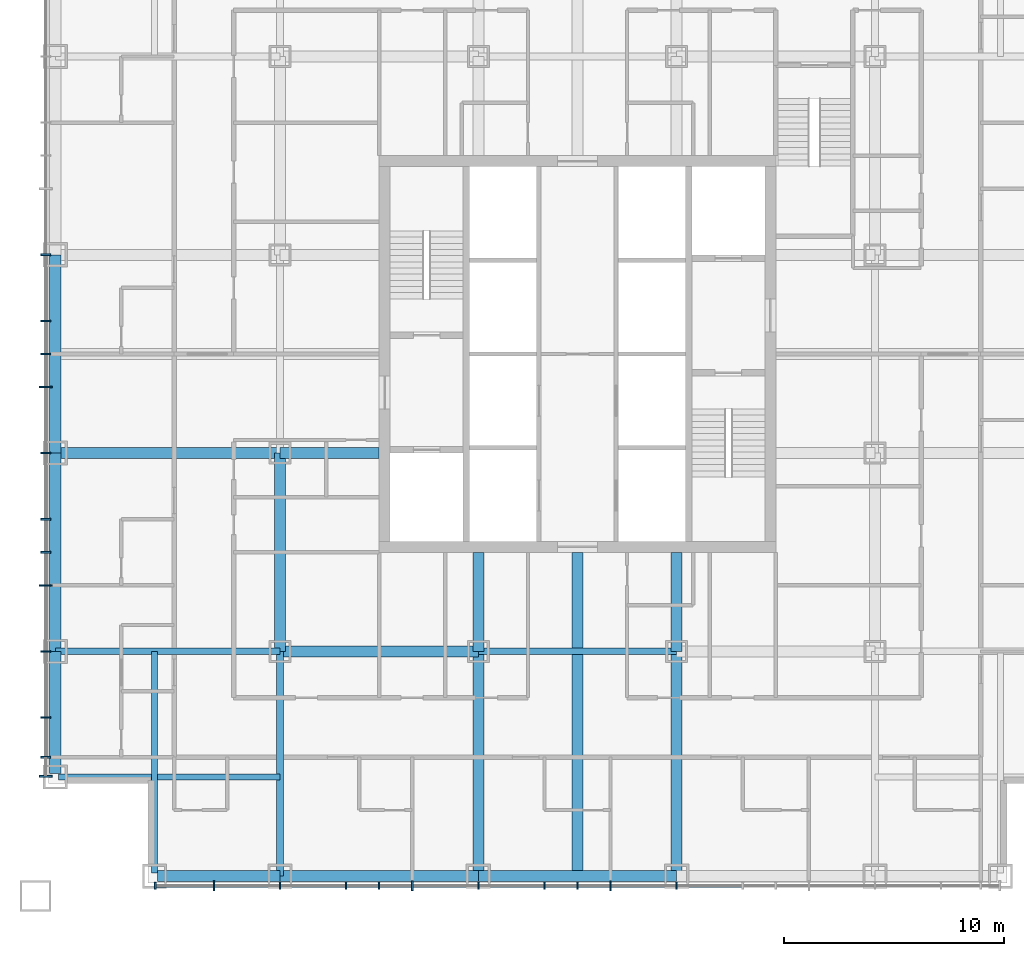
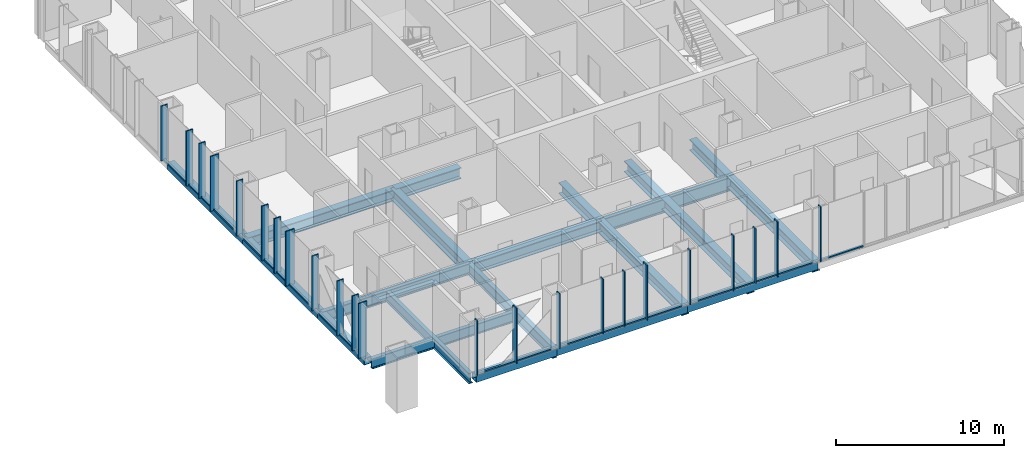
# One storey, part 2 of 13: 44 members, 20 beams, 2 elements without a shape of their own.
"""IFC4 building model written with IfcOpenShell, lengths in metres."""

from ifc_helpers import new_model, si_unit, direction, frame, origin, origin_2d, place, context, subcontext, project, spatial, rectangle, hollow_rectangle, i_section, extrude, material, layer, layer_set, material_profile, profile_set, type_object, element, aggregate, save


model = new_model("IFC4")

# Units and contexts
model_context = context("Model", 3, precision=1e-05, world=origin(), true_north=direction((0.0, 1.0)))
body_context = subcontext(model_context, "Body", "Model", "MODEL_VIEW")
ifc_project = project(units=[si_unit("LENGTHUNIT", "METRE"), si_unit("AREAUNIT", "SQUARE_METRE"), si_unit("VOLUMEUNIT", "CUBIC_METRE"), si_unit("PLANEANGLEUNIT", "RADIAN"), si_unit("MASSUNIT", "GRAM", prefix="KILO")], contexts=[model_context])

# Site, building, storey
site_placement = place(None, origin())
site = spatial("IfcSite", under=ifc_project, at=site_placement, CompositionType="ELEMENT")
building_placement = place(site_placement, origin())
building = spatial("IfcBuilding", under=site, at=building_placement, Name="Malebo Sky Hospital", CompositionType="ELEMENT")
storey_placement = place(building_placement, frame((0.0, 0.0, 104.0)))
storey = spatial("IfcBuildingStorey", under=building, at=storey_placement, Name="L24", CompositionType="ELEMENT", Elevation=104.0)

# Curtain wall, members
ifc_material_1 = material(Name="Anodised aluminium, natural silver", Category="aluminium")
ifc_layer_1 = layer(ifc_material_1, 0.25)
ifc_layer_set_1 = layer_set([ifc_layer_1], Name="WARD CURTAIN WALL EAST AND WEST")
curtain_wall_type_1 = type_object("IfcCurtainWallType", Name="WARD CURTAIN WALL EAST AND WEST", PredefinedType="NOTDEFINED", material=ifc_layer_set_1)
curtain_wall_1_placement = place(storey_placement, origin())
curtain_wall_1 = element("IfcCurtainWall", 1, at=curtain_wall_1_placement, inside=storey, type_object=curtain_wall_type_1, Name="EW curtain wall W", PredefinedType="NOTDEFINED")
ifc_material_profile_1 = material_profile(ifc_material_1, rectangle(XDim=0.14990234375, YDim=0.10009765625, at=origin_2d()), Name="ALUMINIUM TRANSOM 150x100")
ifc_profile_set_1 = profile_set([ifc_material_profile_1], Name="Anodised aluminium, natural silver")
member_type_1 = type_object("IfcMemberType", Name="ALUMINIUM TRANSOM 150x100", PredefinedType="USERDEFINED", material=ifc_profile_set_1)
member_1_placement = place(storey_placement, frame((35.864990234375, 43.737548828125, 0.050048828125), z_axis=(0.0, 1.0, 0.0), x_axis=(-1.0, 0.0, 0.0)))
member_1 = element("IfcMember", 2, at=member_1_placement, type_object=member_type_1, Name="Transom 2", ObjectType="TRANSOM", PredefinedType="USERDEFINED", context=body_context, shape_type="SweptSolid", body=[
    extrude(rectangle(XDim=0.14990234375, YDim=0.10009765625, at=origin_2d()), origin(), (0.0, 0.0, 1.0), 1.724853515625),
])
member_2_placement = place(storey_placement, frame((35.864990234375, 45.53759765625, 0.050048828125), z_axis=(0.0, 1.0, 0.0), x_axis=(-1.0, 0.0, 0.0)))
member_2 = element("IfcMember", 3, at=member_2_placement, type_object=member_type_1, Name="Transom 3", ObjectType="TRANSOM", PredefinedType="USERDEFINED", context=body_context, shape_type="SweptSolid", body=[
    extrude(rectangle(XDim=0.14990234375, YDim=0.10009765625, at=origin_2d()), origin(), (0.0, 0.0, 1.0), 2.9248046875),
])
member_3_placement = place(storey_placement, frame((35.864990234375, 48.53759765625, 0.050048828125), z_axis=(0.0, 1.0, 0.0), x_axis=(-1.0, 0.0, 0.0)))
member_3 = element("IfcMember", 4, at=member_3_placement, type_object=member_type_1, Name="Transom 4", ObjectType="TRANSOM", PredefinedType="USERDEFINED", context=body_context, shape_type="SweptSolid", body=[
    extrude(rectangle(XDim=0.14990234375, YDim=0.10009765625, at=origin_2d()), origin(), (0.0, 0.0, 1.0), 2.9248046875),
])
member_4_placement = place(storey_placement, frame((35.864990234375, 51.53759765625, 0.050048828125), z_axis=(0.0, 1.0, 0.0), x_axis=(-1.0, 0.0, 0.0)))
member_4 = element("IfcMember", 5, at=member_4_placement, type_object=member_type_1, Name="Transom 5", ObjectType="TRANSOM", PredefinedType="USERDEFINED", context=body_context, shape_type="SweptSolid", body=[
    extrude(rectangle(XDim=0.14990234375, YDim=0.10009765625, at=origin_2d()), origin(), (0.0, 0.0, 1.0), 1.4248046875),
])
member_5_placement = place(storey_placement, frame((35.864990234375, 53.03759765625, 0.050048828125), z_axis=(0.0, 1.0, 0.0), x_axis=(-1.0, 0.0, 0.0)))
member_5 = element("IfcMember", 6, at=member_5_placement, type_object=member_type_1, Name="Transom 6", ObjectType="TRANSOM", PredefinedType="USERDEFINED", context=body_context, shape_type="SweptSolid", body=[
    extrude(rectangle(XDim=0.14990234375, YDim=0.10009765625, at=origin_2d()), origin(), (0.0, 0.0, 1.0), 1.4248046875),
])
member_6_placement = place(storey_placement, frame((35.864990234375, 54.53759765625, 0.050048828125), z_axis=(0.0, 1.0, 0.0), x_axis=(-1.0, 0.0, 0.0)))
member_6 = element("IfcMember", 7, at=member_6_placement, type_object=member_type_1, Name="Transom 7", ObjectType="TRANSOM", PredefinedType="USERDEFINED", context=body_context, shape_type="SweptSolid", body=[
    extrude(rectangle(XDim=0.14990234375, YDim=0.10009765625, at=origin_2d()), origin(), (0.0, 0.0, 1.0), 2.9248046875),
])
member_7_placement = place(storey_placement, frame((35.864990234375, 57.53759765625, 0.050048828125), z_axis=(0.0, 1.0, 0.0), x_axis=(-1.0, 0.0, 0.0)))
member_7 = element("IfcMember", 8, at=member_7_placement, type_object=member_type_1, Name="Transom 8", ObjectType="TRANSOM", PredefinedType="USERDEFINED", context=body_context, shape_type="SweptSolid", body=[
    extrude(rectangle(XDim=0.14990234375, YDim=0.10009765625, at=origin_2d()), origin(), (0.0, 0.0, 1.0), 2.9248046875),
])
member_8_placement = place(storey_placement, frame((35.864990234375, 60.53759765625, 0.050048828125), z_axis=(0.0, 1.0, 0.0), x_axis=(-1.0, 0.0, 0.0)))
member_8 = element("IfcMember", 9, at=member_8_placement, type_object=member_type_1, Name="Transom 9", ObjectType="TRANSOM", PredefinedType="USERDEFINED", context=body_context, shape_type="SweptSolid", body=[
    extrude(rectangle(XDim=0.14990234375, YDim=0.10009765625, at=origin_2d()), origin(), (0.0, 0.0, 1.0), 1.4248046875),
])
member_9_placement = place(storey_placement, frame((35.864990234375, 62.03759765625, 0.050048828125), z_axis=(0.0, 1.0, 0.0), x_axis=(-1.0, 0.0, 0.0)))
member_9 = element("IfcMember", 10, at=member_9_placement, type_object=member_type_1, Name="Transom 10", ObjectType="TRANSOM", PredefinedType="USERDEFINED", context=body_context, shape_type="SweptSolid", body=[
    extrude(rectangle(XDim=0.14990234375, YDim=0.10009765625, at=origin_2d()), origin(), (0.0, 0.0, 1.0), 1.4248046875),
])
member_10_placement = place(storey_placement, frame((35.864990234375, 63.53759765625, 0.050048828125), z_axis=(0.0, 1.0, 0.0), x_axis=(-1.0, 0.0, 0.0)))
member_10 = element("IfcMember", 11, at=member_10_placement, type_object=member_type_1, Name="Transom 11", ObjectType="TRANSOM", PredefinedType="USERDEFINED", context=body_context, shape_type="SweptSolid", body=[
    extrude(rectangle(XDim=0.14990234375, YDim=0.10009765625, at=origin_2d()), origin(), (0.0, 0.0, 1.0), 2.9248046875),
])

ifc_layer_2 = layer(ifc_material_1, 0.25)
ifc_layer_set_2 = layer_set([ifc_layer_2], Name="WARD CURTAIN WALL NORTH AND SOUTH")
curtain_wall_type_2 = type_object("IfcCurtainWallType", Name="WARD CURTAIN WALL NORTH AND SOUTH", PredefinedType="NOTDEFINED", material=ifc_layer_set_2)
curtain_wall_2_placement = place(storey_placement, origin())
curtain_wall_2 = element("IfcCurtainWall", 12, at=curtain_wall_2_placement, inside=storey, type_object=curtain_wall_type_2, Name="NS curtain wall S", PredefinedType="NOTDEFINED")
member_11_placement = place(storey_placement, frame((67.46240234375, 37.864990234375, 0.050048828125), z_axis=(-1.0, 0.0, 0.0), x_axis=(0.0, -1.0, 0.0)))
member_11 = element("IfcMember", 13, at=member_11_placement, type_object=member_type_1, Name="Transom 7", ObjectType="TRANSOM", PredefinedType="USERDEFINED", context=body_context, shape_type="SweptSolid", body=[
    extrude(rectangle(XDim=0.14990234375, YDim=0.10009765625, at=origin_2d()), origin(), (0.0, 0.0, 1.0), 2.9248046875),
])
member_12_placement = place(storey_placement, frame((64.46240234375, 37.864990234375, 0.050048828125), z_axis=(-1.0, 0.0, 0.0), x_axis=(0.0, -1.0, 0.0)))
member_12 = element("IfcMember", 14, at=member_12_placement, type_object=member_type_1, Name="Transom 8", ObjectType="TRANSOM", PredefinedType="USERDEFINED", context=body_context, shape_type="SweptSolid", body=[
    extrude(rectangle(XDim=0.14990234375, YDim=0.10009765625, at=origin_2d()), origin(), (0.0, 0.0, 1.0), 2.9248046875),
])
member_13_placement = place(storey_placement, frame((61.46240234375, 37.864990234375, 0.050048828125), z_axis=(-1.0, 0.0, 0.0), x_axis=(0.0, -1.0, 0.0)))
member_13 = element("IfcMember", 15, at=member_13_placement, type_object=member_type_1, Name="Transom 9", ObjectType="TRANSOM", PredefinedType="USERDEFINED", context=body_context, shape_type="SweptSolid", body=[
    extrude(rectangle(XDim=0.14990234375, YDim=0.10009765625, at=origin_2d()), origin(), (0.0, 0.0, 1.0), 1.4248046875),
])
member_14_placement = place(storey_placement, frame((59.96240234375, 37.864990234375, 0.050048828125), z_axis=(-1.0, 0.0, 0.0), x_axis=(0.0, -1.0, 0.0)))
member_14 = element("IfcMember", 16, at=member_14_placement, type_object=member_type_1, Name="Transom 10", ObjectType="TRANSOM", PredefinedType="USERDEFINED", context=body_context, shape_type="SweptSolid", body=[
    extrude(rectangle(XDim=0.14990234375, YDim=0.10009765625, at=origin_2d()), origin(), (0.0, 0.0, 1.0), 1.4248046875),
])
member_15_placement = place(storey_placement, frame((58.46240234375, 37.864990234375, 0.050048828125), z_axis=(-1.0, 0.0, 0.0), x_axis=(0.0, -1.0, 0.0)))
member_15 = element("IfcMember", 17, at=member_15_placement, type_object=member_type_1, Name="Transom 11", ObjectType="TRANSOM", PredefinedType="USERDEFINED", context=body_context, shape_type="SweptSolid", body=[
    extrude(rectangle(XDim=0.14990234375, YDim=0.10009765625, at=origin_2d()), origin(), (0.0, 0.0, 1.0), 2.9248046875),
])
member_16_placement = place(storey_placement, frame((55.46240234375, 37.864990234375, 0.050048828125), z_axis=(-1.0, 0.0, 0.0), x_axis=(0.0, -1.0, 0.0)))
member_16 = element("IfcMember", 18, at=member_16_placement, type_object=member_type_1, Name="Transom 12", ObjectType="TRANSOM", PredefinedType="USERDEFINED", context=body_context, shape_type="SweptSolid", body=[
    extrude(rectangle(XDim=0.14990234375, YDim=0.10009765625, at=origin_2d()), origin(), (0.0, 0.0, 1.0), 2.9248046875),
])
member_17_placement = place(storey_placement, frame((52.46240234375, 37.864990234375, 0.050048828125), z_axis=(-1.0, 0.0, 0.0), x_axis=(0.0, -1.0, 0.0)))
member_17 = element("IfcMember", 19, at=member_17_placement, type_object=member_type_1, Name="Transom 13", ObjectType="TRANSOM", PredefinedType="USERDEFINED", context=body_context, shape_type="SweptSolid", body=[
    extrude(rectangle(XDim=0.14990234375, YDim=0.10009765625, at=origin_2d()), origin(), (0.0, 0.0, 1.0), 1.4248046875),
])
member_18_placement = place(storey_placement, frame((50.96240234375, 37.864990234375, 0.050048828125), z_axis=(-1.0, 0.0, 0.0), x_axis=(0.0, -1.0, 0.0)))
member_18 = element("IfcMember", 20, at=member_18_placement, type_object=member_type_1, Name="Transom 14", ObjectType="TRANSOM", PredefinedType="USERDEFINED", context=body_context, shape_type="SweptSolid", body=[
    extrude(rectangle(XDim=0.14990234375, YDim=0.10009765625, at=origin_2d()), origin(), (0.0, 0.0, 1.0), 1.4248046875),
])
member_19_placement = place(storey_placement, frame((49.46240234375, 37.864990234375, 0.050048828125), z_axis=(-1.0, 0.0, 0.0), x_axis=(0.0, -1.0, 0.0)))
member_19 = element("IfcMember", 21, at=member_19_placement, type_object=member_type_1, Name="Transom 15", ObjectType="TRANSOM", PredefinedType="USERDEFINED", context=body_context, shape_type="SweptSolid", body=[
    extrude(rectangle(XDim=0.14990234375, YDim=0.10009765625, at=origin_2d()), origin(), (0.0, 0.0, 1.0), 2.9248046875),
])
member_20_placement = place(storey_placement, frame((46.46240234375, 37.864990234375, 0.050048828125), z_axis=(-1.0, 0.0, 0.0), x_axis=(0.0, -1.0, 0.0)))
member_20 = element("IfcMember", 22, at=member_20_placement, type_object=member_type_1, Name="Transom 16", ObjectType="TRANSOM", PredefinedType="USERDEFINED", context=body_context, shape_type="SweptSolid", body=[
    extrude(rectangle(XDim=0.14990234375, YDim=0.10009765625, at=origin_2d()), origin(), (0.0, 0.0, 1.0), 2.9248046875),
])
member_21_placement = place(storey_placement, frame((43.46240234375, 37.864990234375, 0.050048828125), z_axis=(-1.0, 0.0, 0.0), x_axis=(0.0, -1.0, 0.0)))
member_21 = element("IfcMember", 23, at=member_21_placement, type_object=member_type_1, Name="Transom 17", ObjectType="TRANSOM", PredefinedType="USERDEFINED", context=body_context, shape_type="SweptSolid", body=[
    extrude(rectangle(XDim=0.14990234375, YDim=0.10009765625, at=origin_2d()), origin(), (0.0, 0.0, 1.0), 2.58740234375),
])
ifc_material_profile_2 = material_profile(ifc_material_1, rectangle(XDim=0.074951171875, YDim=0.300048828125, at=origin_2d()), Name="CW1 ALUMINIUM FIN MULLION 75x300")
ifc_profile_set_2 = profile_set([ifc_material_profile_2], Name="Anodised aluminium, natural silver")
member_type_2 = type_object("IfcMemberType", Name="CW1 ALUMINIUM FIN MULLION 75x300", PredefinedType="MULLION", material=ifc_profile_set_2)
member_22_placement = place(storey_placement, frame((64.5, 37.864990234375, 0.0), z_axis=(0.0, 0.0, 1.0), x_axis=(-1.0, 0.0, 0.0)))
member_22 = element("IfcMember", 24, at=member_22_placement, type_object=member_type_2, Name="Fin mullion 8", PredefinedType="MULLION", context=body_context, shape_type="SweptSolid", body=[
    extrude(rectangle(XDim=0.074951171875, YDim=0.300048828125, at=origin_2d()), origin(), (0.0, 0.0, 1.0), 4.0),
])
member_23_placement = place(storey_placement, frame((60.0, 37.864990234375, 0.0), z_axis=(0.0, 0.0, 1.0), x_axis=(-1.0, 0.0, 0.0)))
member_23 = element("IfcMember", 25, at=member_23_placement, type_object=member_type_2, Name="Fin mullion 10", PredefinedType="MULLION", context=body_context, shape_type="SweptSolid", body=[
    extrude(rectangle(XDim=0.074951171875, YDim=0.300048828125, at=origin_2d()), origin(), (0.0, 0.0, 1.0), 4.0),
])
member_24_placement = place(storey_placement, frame((58.5, 37.864990234375, 0.0), z_axis=(0.0, 0.0, 1.0), x_axis=(-1.0, 0.0, 0.0)))
member_24 = element("IfcMember", 26, at=member_24_placement, type_object=member_type_2, Name="Fin mullion 11", PredefinedType="MULLION", context=body_context, shape_type="SweptSolid", body=[
    extrude(rectangle(XDim=0.074951171875, YDim=0.300048828125, at=origin_2d()), origin(), (0.0, 0.0, 1.0), 4.0),
])
member_25_placement = place(storey_placement, frame((55.5, 37.864990234375, 0.0), z_axis=(0.0, 0.0, 1.0), x_axis=(-1.0, 0.0, 0.0)))
member_25 = element("IfcMember", 27, at=member_25_placement, type_object=member_type_2, Name="Fin mullion 12", PredefinedType="MULLION", context=body_context, shape_type="SweptSolid", body=[
    extrude(rectangle(XDim=0.074951171875, YDim=0.300048828125, at=origin_2d()), origin(), (0.0, 0.0, 1.0), 4.0),
])
member_26_placement = place(storey_placement, frame((51.0, 37.864990234375, 0.0), z_axis=(0.0, 0.0, 1.0), x_axis=(-1.0, 0.0, 0.0)))
member_26 = element("IfcMember", 28, at=member_26_placement, type_object=member_type_2, Name="Fin mullion 14", PredefinedType="MULLION", context=body_context, shape_type="SweptSolid", body=[
    extrude(rectangle(XDim=0.074951171875, YDim=0.300048828125, at=origin_2d()), origin(), (0.0, 0.0, 1.0), 4.0),
])
member_27_placement = place(storey_placement, frame((49.5, 37.864990234375, 0.0), z_axis=(0.0, 0.0, 1.0), x_axis=(-1.0, 0.0, 0.0)))
member_27 = element("IfcMember", 29, at=member_27_placement, type_object=member_type_2, Name="Fin mullion 15", PredefinedType="MULLION", context=body_context, shape_type="SweptSolid", body=[
    extrude(rectangle(XDim=0.074951171875, YDim=0.300048828125, at=origin_2d()), origin(), (0.0, 0.0, 1.0), 4.0),
])
member_28_placement = place(storey_placement, frame((46.5, 37.864990234375, 0.0), z_axis=(0.0, 0.0, 1.0), x_axis=(-1.0, 0.0, 0.0)))
member_28 = element("IfcMember", 30, at=member_28_placement, type_object=member_type_2, Name="Fin mullion 16", PredefinedType="MULLION", context=body_context, shape_type="SweptSolid", body=[
    extrude(rectangle(XDim=0.074951171875, YDim=0.300048828125, at=origin_2d()), origin(), (0.0, 0.0, 1.0), 4.0),
])
member_29_placement = place(storey_placement, frame((40.83740234375, 37.864990234375, 0.0), z_axis=(0.0, 0.0, 1.0), x_axis=(-1.0, 0.0, 0.0)))
member_29 = element("IfcMember", 31, at=member_29_placement, type_object=member_type_2, Name="Fin mullion 18", PredefinedType="MULLION", context=body_context, shape_type="SweptSolid", body=[
    extrude(rectangle(XDim=0.074951171875, YDim=0.300048828125, at=origin_2d()), origin(), (0.0, 0.0, 1.0), 4.0),
])
ifc_material_profile_3 = material_profile(ifc_material_1, rectangle(XDim=0.074951171875, YDim=0.449951171875, at=origin_2d()), Name="CW1 ALUMINIUM FIN MULLION 75x450")
ifc_profile_set_3 = profile_set([ifc_material_profile_3], Name="Anodised aluminium, natural silver")
member_type_3 = type_object("IfcMemberType", Name="CW1 ALUMINIUM FIN MULLION 75x450", PredefinedType="MULLION", material=ifc_profile_set_3)
member_30_placement = place(storey_placement, frame((61.5, 37.864990234375, 0.0), z_axis=(0.0, 0.0, 1.0), x_axis=(-1.0, 0.0, 0.0)))
member_30 = element("IfcMember", 32, at=member_30_placement, type_object=member_type_3, Name="Fin mullion 9", PredefinedType="MULLION", context=body_context, shape_type="SweptSolid", body=[
    extrude(rectangle(XDim=0.074951171875, YDim=0.449951171875, at=origin_2d()), origin(), (0.0, 0.0, 1.0), 4.0),
])
member_31_placement = place(storey_placement, frame((52.5, 37.864990234375, 0.0), z_axis=(0.0, 0.0, 1.0), x_axis=(-1.0, 0.0, 0.0)))
member_31 = element("IfcMember", 33, at=member_31_placement, type_object=member_type_3, Name="Fin mullion 13", PredefinedType="MULLION", context=body_context, shape_type="SweptSolid", body=[
    extrude(rectangle(XDim=0.074951171875, YDim=0.449951171875, at=origin_2d()), origin(), (0.0, 0.0, 1.0), 4.0),
])
member_32_placement = place(storey_placement, frame((43.5, 37.864990234375, 0.0), z_axis=(0.0, 0.0, 1.0), x_axis=(-1.0, 0.0, 0.0)))
member_32 = element("IfcMember", 34, at=member_32_placement, type_object=member_type_3, Name="Fin mullion 17", PredefinedType="MULLION", context=body_context, shape_type="SweptSolid", body=[
    extrude(rectangle(XDim=0.074951171875, YDim=0.449951171875, at=origin_2d()), origin(), (0.0, 0.0, 1.0), 4.0),
])
aggregate(curtain_wall_2, [member_22, member_30, member_23, member_24, member_25, member_31, member_26, member_27, member_28, member_32, member_29, member_11, member_12, member_13, member_14, member_15, member_16, member_17, member_18, member_19, member_20, member_21])

# Member
ifc_material_profile_4 = material_profile(ifc_material_1, rectangle(XDim=0.074951171875, YDim=0.449951171875, at=origin_2d()), Name="CW2 ALUMINIUM FIN MULLION 75x450")
ifc_profile_set_4 = profile_set([ifc_material_profile_4], Name="Anodised aluminium, natural silver")
member_type_4 = type_object("IfcMemberType", Name="CW2 ALUMINIUM FIN MULLION 75x450", PredefinedType="MULLION", material=ifc_profile_set_4)
member_33_placement = place(storey_placement, frame((35.864990234375, 43.699951171875, 0.0), z_axis=(0.0, 0.0, 1.0), x_axis=(0.0, 1.0, 0.0)))
member_33 = element("IfcMember", 35, at=member_33_placement, type_object=member_type_4, Name="Fin mullion 2", PredefinedType="MULLION", context=body_context, shape_type="SweptSolid", body=[
    extrude(rectangle(XDim=0.074951171875, YDim=0.449951171875, at=origin_2d()), origin(), (0.0, 0.0, 1.0), 4.0),
])

member_34_placement = place(storey_placement, frame((35.864990234375, 45.5, 0.0), z_axis=(0.0, 0.0, 1.0), x_axis=(0.0, 1.0, 0.0)))
member_34 = element("IfcMember", 36, at=member_34_placement, type_object=member_type_4, Name="Fin mullion 3", PredefinedType="MULLION", context=body_context, shape_type="SweptSolid", body=[
    extrude(rectangle(XDim=0.074951171875, YDim=0.449951171875, at=origin_2d()), origin(), (0.0, 0.0, 1.0), 4.0),
])

member_35_placement = place(storey_placement, frame((35.864990234375, 48.5, 0.0), z_axis=(0.0, 0.0, 1.0), x_axis=(0.0, 1.0, 0.0)))
member_35 = element("IfcMember", 37, at=member_35_placement, type_object=member_type_4, Name="Fin mullion 4", PredefinedType="MULLION", context=body_context, shape_type="SweptSolid", body=[
    extrude(rectangle(XDim=0.074951171875, YDim=0.449951171875, at=origin_2d()), origin(), (0.0, 0.0, 1.0), 4.0),
])

member_36_placement = place(storey_placement, frame((35.864990234375, 53.0, 0.0), z_axis=(0.0, 0.0, 1.0), x_axis=(0.0, 1.0, 0.0)))
member_36 = element("IfcMember", 38, at=member_36_placement, type_object=member_type_4, Name="Fin mullion 6", PredefinedType="MULLION", context=body_context, shape_type="SweptSolid", body=[
    extrude(rectangle(XDim=0.074951171875, YDim=0.449951171875, at=origin_2d()), origin(), (0.0, 0.0, 1.0), 4.0),
])

member_37_placement = place(storey_placement, frame((35.864990234375, 54.5, 0.0), z_axis=(0.0, 0.0, 1.0), x_axis=(0.0, 1.0, 0.0)))
member_37 = element("IfcMember", 39, at=member_37_placement, type_object=member_type_4, Name="Fin mullion 7", PredefinedType="MULLION", context=body_context, shape_type="SweptSolid", body=[
    extrude(rectangle(XDim=0.074951171875, YDim=0.449951171875, at=origin_2d()), origin(), (0.0, 0.0, 1.0), 4.0),
])

member_38_placement = place(storey_placement, frame((35.864990234375, 57.5, 0.0), z_axis=(0.0, 0.0, 1.0), x_axis=(0.0, 1.0, 0.0)))
member_38 = element("IfcMember", 40, at=member_38_placement, type_object=member_type_4, Name="Fin mullion 8", PredefinedType="MULLION", context=body_context, shape_type="SweptSolid", body=[
    extrude(rectangle(XDim=0.074951171875, YDim=0.449951171875, at=origin_2d()), origin(), (0.0, 0.0, 1.0), 4.0),
])

member_39_placement = place(storey_placement, frame((35.864990234375, 62.0, 0.0), z_axis=(0.0, 0.0, 1.0), x_axis=(0.0, 1.0, 0.0)))
member_39 = element("IfcMember", 41, at=member_39_placement, type_object=member_type_4, Name="Fin mullion 10", PredefinedType="MULLION", context=body_context, shape_type="SweptSolid", body=[
    extrude(rectangle(XDim=0.074951171875, YDim=0.449951171875, at=origin_2d()), origin(), (0.0, 0.0, 1.0), 4.0),
])

member_40_placement = place(storey_placement, frame((35.864990234375, 63.5, 0.0), z_axis=(0.0, 0.0, 1.0), x_axis=(0.0, 1.0, 0.0)))
member_40 = element("IfcMember", 42, at=member_40_placement, type_object=member_type_4, Name="Fin mullion 11", PredefinedType="MULLION", context=body_context, shape_type="SweptSolid", body=[
    extrude(rectangle(XDim=0.074951171875, YDim=0.449951171875, at=origin_2d()), origin(), (0.0, 0.0, 1.0), 4.0),
])

member_41_placement = place(storey_placement, frame((35.864990234375, 66.5, 0.0), z_axis=(0.0, 0.0, 1.0), x_axis=(0.0, 1.0, 0.0)))
member_41 = element("IfcMember", 43, at=member_41_placement, type_object=member_type_4, Name="Fin mullion 12", PredefinedType="MULLION", context=body_context, shape_type="SweptSolid", body=[
    extrude(rectangle(XDim=0.074951171875, YDim=0.449951171875, at=origin_2d()), origin(), (0.0, 0.0, 1.0), 4.0),
])

ifc_material_profile_5 = material_profile(ifc_material_1, rectangle(XDim=0.074951171875, YDim=0.60009765625, at=origin_2d()), Name="CW2 ALUMINIUM FIN MULLION 75x600")
ifc_profile_set_5 = profile_set([ifc_material_profile_5], Name="Anodised aluminium, natural silver")
member_type_5 = type_object("IfcMemberType", Name="CW2 ALUMINIUM FIN MULLION 75x600", PredefinedType="MULLION", material=ifc_profile_set_5)
member_42_placement = place(storey_placement, frame((35.864990234375, 42.83740234375, 0.0), z_axis=(0.0, 0.0, 1.0), x_axis=(0.0, 1.0, 0.0)))
member_42 = element("IfcMember", 44, at=member_42_placement, type_object=member_type_5, Name="Fin mullion 1", PredefinedType="MULLION", context=body_context, shape_type="SweptSolid", body=[
    extrude(rectangle(XDim=0.074951171875, YDim=0.60009765625, at=origin_2d()), origin(), (0.0, 0.0, 1.0), 4.0),
])

member_43_placement = place(storey_placement, frame((35.864990234375, 51.5, 0.0), z_axis=(0.0, 0.0, 1.0), x_axis=(0.0, 1.0, 0.0)))
member_43 = element("IfcMember", 45, at=member_43_placement, type_object=member_type_5, Name="Fin mullion 5", PredefinedType="MULLION", context=body_context, shape_type="SweptSolid", body=[
    extrude(rectangle(XDim=0.074951171875, YDim=0.60009765625, at=origin_2d()), origin(), (0.0, 0.0, 1.0), 4.0),
])

member_44_placement = place(storey_placement, frame((35.864990234375, 60.5, 0.0), z_axis=(0.0, 0.0, 1.0), x_axis=(0.0, 1.0, 0.0)))
member_44 = element("IfcMember", 46, at=member_44_placement, type_object=member_type_5, Name="Fin mullion 9", PredefinedType="MULLION", context=body_context, shape_type="SweptSolid", body=[
    extrude(rectangle(XDim=0.074951171875, YDim=0.60009765625, at=origin_2d()), origin(), (0.0, 0.0, 1.0), 4.0),
])

aggregate(curtain_wall_1, [member_42, member_33, member_34, member_35, member_43, member_36, member_37, member_38, member_44, member_39, member_40, member_41, member_1, member_2, member_3, member_4, member_5, member_6, member_7, member_8, member_9, member_10])

# Beams
ifc_material_2 = material(Name="Steel S460", Category="steel")
ifc_material_profile_6 = material_profile(ifc_material_2, hollow_rectangle(XDim=0.5, YDim=0.5, WallThickness=0.030029296875, at=origin_2d()), Name="BOX 500x500x30")
ifc_profile_set_6 = profile_set([ifc_material_profile_6], Name="Steel S460")
beam_type_1 = type_object("IfcBeamType", Name="EDGE BEAM BOX 500x500x30", PredefinedType="BEAM", material=ifc_profile_set_6)
beam_1_placement = place(storey_placement, frame((36.300048828125, 42.949951171875, -0.5), z_axis=(0.0, 1.0, 0.0), x_axis=(-1.0, 0.0, 0.0)))
element("IfcBeam", 47, at=beam_1_placement, inside=storey, type_object=beam_type_1, Name="Beam 000 L24", PredefinedType="BEAM", context=body_context, shape_type="SweptSolid", body=[
    extrude(hollow_rectangle(XDim=0.5, YDim=0.5, WallThickness=0.030029296875, at=origin_2d()), origin(), (0.0, 0.0, 1.0), 5.550048828125),
])
for number, where, z_axis, x_axis, name in (
    (48, (36.300048828125, 48.5, -0.5), (0.0, 1.0, 0.0), (-1.0, 0.0, 0.0), "Beam 001 L24"),
    (49, (36.300048828125, 57.5, -0.5), (0.0, 1.0, 0.0), (-1.0, 0.0, 0.0), "Beam 002 L24"),
):
    element("IfcBeam", number, at=place(storey_placement, frame(where, z_axis=z_axis, x_axis=x_axis)), inside=storey, type_object=beam_type_1, Name=name, PredefinedType="BEAM", context=body_context, shape_type="SweptSolid", body=[
        extrude(hollow_rectangle(XDim=0.5, YDim=0.5, WallThickness=0.030029296875, at=origin_2d()), origin(), (0.0, 0.0, 1.0), 9.0),
    ])
beam_2_placement = place(storey_placement, frame((40.949951171875, 38.300048828125, -0.5), z_axis=(1.0, 0.0, 0.0), x_axis=(0.0, 1.0, 0.0)))
element("IfcBeam", 50, at=beam_2_placement, inside=storey, type_object=beam_type_1, Name="Beam 034 L24", PredefinedType="BEAM", context=body_context, shape_type="SweptSolid", body=[
    extrude(hollow_rectangle(XDim=0.5, YDim=0.5, WallThickness=0.030029296875, at=origin_2d()), origin(), (0.0, 0.0, 1.0), 5.550048828125),
])
for number, where, z_axis, x_axis, name in (
    (51, (46.5, 38.300048828125, -0.5), (1.0, 0.0, 0.0), (0.0, 1.0, 0.0), "Beam 035 L24"),
    (52, (55.5, 38.300048828125, -0.5), (1.0, 0.0, 0.0), (0.0, 1.0, 0.0), "Beam 036 L24"),
):
    element("IfcBeam", number, at=place(storey_placement, frame(where, z_axis=z_axis, x_axis=x_axis)), inside=storey, type_object=beam_type_1, Name=name, PredefinedType="BEAM", context=body_context, shape_type="SweptSolid", body=[
        extrude(hollow_rectangle(XDim=0.5, YDim=0.5, WallThickness=0.030029296875, at=origin_2d()), origin(), (0.0, 0.0, 1.0), 9.0),
    ])
ifc_material_3 = material(Name="Steel S355", Category="steel")
ifc_material_profile_7 = material_profile(ifc_material_3, i_section(OverallWidth=0.262939453125, OverallDepth=0.7529296875, WebThickness=0.011474609375, FlangeThickness=0.01708984375, FilletRadius=0.01708984375, at=origin_2d()), Name="IPE 750x137")
ifc_profile_set_7 = profile_set([ifc_material_profile_7], Name="Steel S355")
beam_type_2 = type_object("IfcBeamType", Name="FLOOR BEAM IPE 750x137", PredefinedType="BEAM", material=ifc_profile_set_7)
for number, where, z_axis, x_axis, name in (
    (53, (40.800048828125, 38.449951171875, -0.62646484375), (0.0, 1.0, 0.0), (-1.0, 0.0, 0.0), "Beam 005 L24"),
    (54, (36.449951171875, 42.800048828125, -0.62646484375), (1.0, 0.0, 0.0), (0.0, 1.0, 0.0), "Beam 039 L24"),
):
    element("IfcBeam", number, at=place(storey_placement, frame(where, z_axis=z_axis, x_axis=x_axis)), inside=storey, type_object=beam_type_2, Name=name, PredefinedType="BEAM", context=body_context, shape_type="SweptSolid", body=[
        extrude(i_section(OverallWidth=0.262939453125, OverallDepth=0.7529296875, WebThickness=0.011474609375, FlangeThickness=0.01708984375, FilletRadius=0.01708984375, at=origin_2d()), origin(), (0.0, 0.0, 1.0), 10.050048828125),
    ])
ifc_material_profile_8 = material_profile(ifc_material_3, i_section(OverallWidth=0.5, OverallDepth=0.800048828125, WebThickness=0.030029296875, FlangeThickness=0.050048828125, at=origin_2d()), Name="PG 800x500x30x50")
ifc_profile_set_8 = profile_set([ifc_material_profile_8], Name="Steel S355")
beam_type_3 = type_object("IfcBeamType", Name="FLOOR BEAM PG 800x500x30x50", PredefinedType="BEAM", material=ifc_profile_set_8)
beam_3_placement = place(storey_placement, frame((46.5, 48.5, -0.64990234375), z_axis=(0.0, 1.0, 0.0), x_axis=(-1.0, 0.0, 0.0)))
element("IfcBeam", 55, at=beam_3_placement, inside=storey, type_object=beam_type_3, Name="Beam 008 L24", PredefinedType="BEAM", context=body_context, shape_type="SweptSolid", body=[
    extrude(i_section(OverallWidth=0.5, OverallDepth=0.800048828125, WebThickness=0.030029296875, FlangeThickness=0.050048828125, at=origin_2d()), origin(), (0.0, 0.0, 1.0), 9.0),
])
beam_4_placement = place(storey_placement, frame((55.5, 38.300048828125, -0.64990234375), z_axis=(0.0, 1.0, 0.0), x_axis=(-1.0, 0.0, 0.0)))
element("IfcBeam", 56, at=beam_4_placement, inside=storey, type_object=beam_type_3, Name="Beam 012 L24", PredefinedType="BEAM", context=body_context, shape_type="SweptSolid", body=[
    extrude(i_section(OverallWidth=0.5, OverallDepth=0.800048828125, WebThickness=0.030029296875, FlangeThickness=0.050048828125, at=origin_2d()), origin(), (0.0, 0.0, 1.0), 10.199951171875),
])
beam_5_placement = place(storey_placement, frame((55.5, 48.5, -0.64990234375), z_axis=(0.0, 1.0, 0.0), x_axis=(-1.0, 0.0, 0.0)))
element("IfcBeam", 57, at=beam_5_placement, inside=storey, type_object=beam_type_3, Name="Beam 013 L24", PredefinedType="BEAM", context=body_context, shape_type="SweptSolid", body=[
    extrude(i_section(OverallWidth=0.5, OverallDepth=0.800048828125, WebThickness=0.030029296875, FlangeThickness=0.050048828125, at=origin_2d()), origin(), (0.0, 0.0, 1.0), 4.5),
])
beam_6_placement = place(storey_placement, frame((60.0, 38.300048828125, -0.64990234375), z_axis=(0.0, 1.0, 0.0), x_axis=(-1.0, 0.0, 0.0)))
element("IfcBeam", 58, at=beam_6_placement, inside=storey, type_object=beam_type_3, Name="Beam 016 L24", PredefinedType="BEAM", context=body_context, shape_type="SweptSolid", body=[
    extrude(i_section(OverallWidth=0.5, OverallDepth=0.800048828125, WebThickness=0.030029296875, FlangeThickness=0.050048828125, at=origin_2d()), origin(), (0.0, 0.0, 1.0), 14.699951171875),
])
beam_7_placement = place(storey_placement, frame((64.5, 38.300048828125, -0.64990234375), z_axis=(0.0, 1.0, 0.0), x_axis=(-1.0, 0.0, 0.0)))
element("IfcBeam", 59, at=beam_7_placement, inside=storey, type_object=beam_type_3, Name="Beam 018 L24", PredefinedType="BEAM", context=body_context, shape_type="SweptSolid", body=[
    extrude(i_section(OverallWidth=0.5, OverallDepth=0.800048828125, WebThickness=0.030029296875, FlangeThickness=0.050048828125, at=origin_2d()), origin(), (0.0, 0.0, 1.0), 10.199951171875),
])
beam_8_placement = place(storey_placement, frame((64.5, 48.5, -0.64990234375), z_axis=(0.0, 1.0, 0.0), x_axis=(-1.0, 0.0, 0.0)))
element("IfcBeam", 60, at=beam_8_placement, inside=storey, type_object=beam_type_3, Name="Beam 019 L24", PredefinedType="BEAM", context=body_context, shape_type="SweptSolid", body=[
    extrude(i_section(OverallWidth=0.5, OverallDepth=0.800048828125, WebThickness=0.030029296875, FlangeThickness=0.050048828125, at=origin_2d()), origin(), (0.0, 0.0, 1.0), 4.5),
])
beam_9_placement = place(storey_placement, frame((46.5, 48.5, -0.64990234375), z_axis=(1.0, 0.0, 0.0), x_axis=(0.0, 1.0, 0.0)))
element("IfcBeam", 61, at=beam_9_placement, inside=storey, type_object=beam_type_3, Name="Beam 042 L24", PredefinedType="BEAM", context=body_context, shape_type="SweptSolid", body=[
    extrude(i_section(OverallWidth=0.5, OverallDepth=0.800048828125, WebThickness=0.030029296875, FlangeThickness=0.050048828125, at=origin_2d()), origin(), (0.0, 0.0, 1.0), 9.0),
])
beam_10_placement = place(storey_placement, frame((36.300048828125, 57.5, -0.64990234375), z_axis=(1.0, 0.0, 0.0), x_axis=(0.0, 1.0, 0.0)))
element("IfcBeam", 62, at=beam_10_placement, inside=storey, type_object=beam_type_3, Name="Beam 046 L24", PredefinedType="BEAM", context=body_context, shape_type="SweptSolid", body=[
    extrude(i_section(OverallWidth=0.5, OverallDepth=0.800048828125, WebThickness=0.030029296875, FlangeThickness=0.050048828125, at=origin_2d()), origin(), (0.0, 0.0, 1.0), 10.199951171875),
])
beam_11_placement = place(storey_placement, frame((46.5, 57.5, -0.64990234375), z_axis=(1.0, 0.0, 0.0), x_axis=(0.0, 1.0, 0.0)))
element("IfcBeam", 63, at=beam_11_placement, inside=storey, type_object=beam_type_3, Name="Beam 047 L24", PredefinedType="BEAM", context=body_context, shape_type="SweptSolid", body=[
    extrude(i_section(OverallWidth=0.5, OverallDepth=0.800048828125, WebThickness=0.030029296875, FlangeThickness=0.050048828125, at=origin_2d()), origin(), (0.0, 0.0, 1.0), 4.5),
])
ifc_material_profile_9 = material_profile(ifc_material_3, i_section(OverallWidth=0.300048828125, OverallDepth=0.800048828125, WebThickness=0.017578125, FlangeThickness=0.032958984375, FilletRadius=0.030029296875, at=origin_2d()), Name="HEB 800")
ifc_profile_set_9 = profile_set([ifc_material_profile_9], Name="Steel S355")
beam_type_4 = type_object("IfcBeamType", Name="FLOOR GIRDER HEB 800", PredefinedType="BEAM", material=ifc_profile_set_9)
for number, where, z_axis, x_axis, name in (
    (64, (46.5, 38.300048828125, -0.64990234375), (0.0, 1.0, 0.0), (-1.0, 0.0, 0.0), "Beam 007 L24"),
    (65, (36.300048828125, 48.5, -0.64990234375), (1.0, 0.0, 0.0), (0.0, 1.0, 0.0), "Beam 041 L24"),
):
    element("IfcBeam", number, at=place(storey_placement, frame(where, z_axis=z_axis, x_axis=x_axis)), inside=storey, type_object=beam_type_4, Name=name, PredefinedType="BEAM", context=body_context, shape_type="SweptSolid", body=[
        extrude(i_section(OverallWidth=0.300048828125, OverallDepth=0.800048828125, WebThickness=0.017578125, FlangeThickness=0.032958984375, FilletRadius=0.030029296875, at=origin_2d()), origin(), (0.0, 0.0, 1.0), 10.199951171875),
    ])
ifc_material_profile_10 = material_profile(ifc_material_3, i_section(OverallWidth=0.300048828125, OverallDepth=1.0, WebThickness=0.01904296875, FlangeThickness=0.035888671875, FilletRadius=0.030029296875, at=origin_2d()), Name="HEB 1000")
ifc_profile_set_10 = profile_set([ifc_material_profile_10], Name="Steel S355")
beam_type_5 = type_object("IfcBeamType", Name="RING GIRDER HEB 1000", PredefinedType="BEAM", material=ifc_profile_set_10)
beam_12_placement = place(storey_placement, frame((55.5, 48.5, -0.75), z_axis=(1.0, 0.0, 0.0), x_axis=(0.0, 1.0, 0.0)))
element("IfcBeam", 66, at=beam_12_placement, inside=storey, type_object=beam_type_5, Name="Beam 043 L24", PredefinedType="BEAM", context=body_context, shape_type="SweptSolid", body=[
    extrude(i_section(OverallWidth=0.300048828125, OverallDepth=1.0, WebThickness=0.01904296875, FlangeThickness=0.035888671875, FilletRadius=0.030029296875, at=origin_2d()), origin(), (0.0, 0.0, 1.0), 9.0),
])

save(model, "model.ifc")
